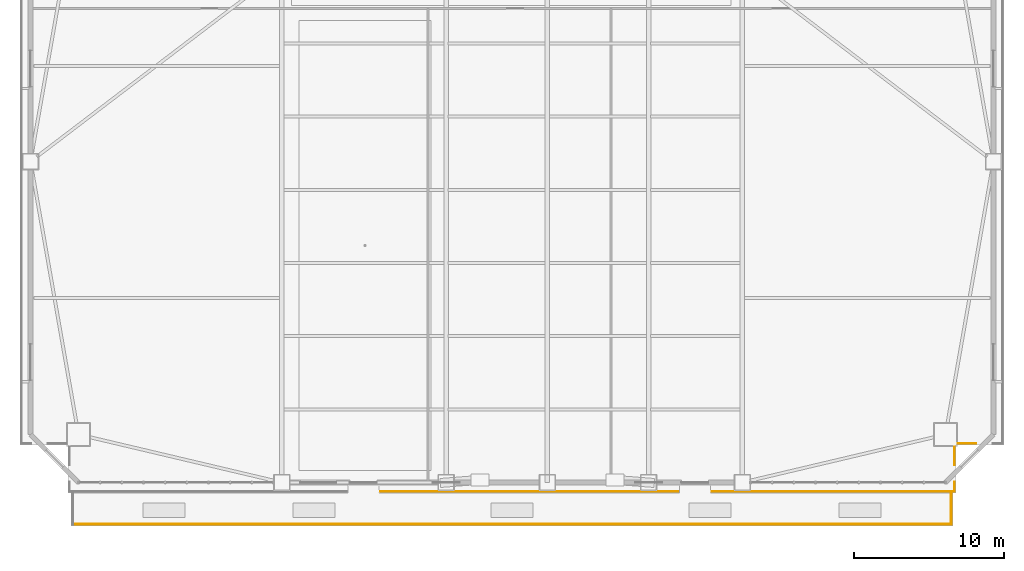
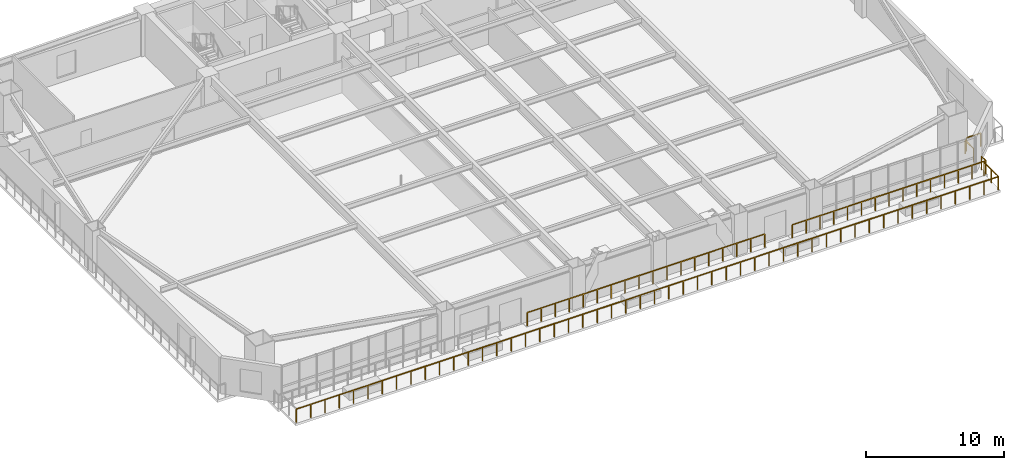
# One storey, part 14 of 17: 7 railings.
"""IFC4 building model written with IfcOpenShell, lengths in metres."""

from ifc_helpers import new_model, si_unit, direction, frame, origin, origin_2d, place, context, subcontext, project, spatial, rectangle, extrude, material, type_object, element, save


model = new_model("IFC4")

# Units and contexts
model_context = context("Model", 3, precision=1e-05, world=origin(), true_north=direction((0.0, 1.0)))
body_context = subcontext(model_context, "Body", "Model", "MODEL_VIEW")
ifc_project = project(units=[si_unit("LENGTHUNIT", "METRE"), si_unit("AREAUNIT", "SQUARE_METRE"), si_unit("VOLUMEUNIT", "CUBIC_METRE"), si_unit("PLANEANGLEUNIT", "RADIAN"), si_unit("MASSUNIT", "GRAM", prefix="KILO")], contexts=[model_context])

# Site, building, storey
site_placement = place(None, origin())
site = spatial("IfcSite", under=ifc_project, at=site_placement, CompositionType="ELEMENT")
building_placement = place(site_placement, origin())
building = spatial("IfcBuilding", under=site, at=building_placement, Name="Giltprow Tower", CompositionType="ELEMENT")
storey_placement = place(building_placement, frame((0.0, 0.0, 25.39990234375)))
storey = spatial("IfcBuildingStorey", under=building, at=storey_placement, Name="L06", CompositionType="ELEMENT", Elevation=25.39990234375)

# Railings
ifc_material = material(Name="Anodized bronze", Category="metal")
railing_type_1 = type_object("IfcRailingType", Name="RAIL-BALC-GUARD-1200", PredefinedType="BALUSTRADE", material=ifc_material)
railing_1_placement = place(storey_placement, frame((66.1201171875, 5.89990234375, 0.0)))
element("IfcRailing", 1, at=railing_1_placement, inside=storey, type_object=railing_type_1, Name="L06 Corner Apron Edge Balustrade 16", PredefinedType="BALUSTRADE", context=body_context, shape_type="SweptSolid", body=[
    extrude(rectangle(XDim=0.048095703125, YDim=0.048095703125, at=origin_2d()), frame((0.0, 0.0, 1.17578125), z_axis=(-1.0, 0.0, 0.0), x_axis=(0.0, -1.0, 0.0)), (0.0, 0.0, 1.0), 1.18505859375),
    extrude(rectangle(XDim=0.0419921875, YDim=0.0419921875, at=origin_2d()), origin(), (0.0, 0.0, 1.0), 1.15185546875),
    extrude(rectangle(XDim=0.0419921875, YDim=0.0419921875, at=origin_2d()), frame((-1.18505859375, 0.0, 0.0)), (0.0, 0.0, 1.0), 1.15185546875),
])
railing_2_placement = place(storey_placement, frame((64.699951171875, 5.6650390625, 0.0)))
element("IfcRailing", 2, at=railing_2_placement, inside=storey, type_object=railing_type_1, Name="L06 Corner Apron Edge Balustrade 17", PredefinedType="BALUSTRADE", context=body_context, shape_type="SweptSolid", body=[
    extrude(rectangle(XDim=0.048095703125, YDim=0.048095703125, at=origin_2d()), frame((0.0, 0.0, 1.17578125), z_axis=(0.0, -1.0, 0.0), x_axis=(1.0, 0.0, 0.0)), (0.0, 0.0, 1.0), 1.18505859375),
    extrude(rectangle(XDim=0.0419921875, YDim=0.0419921875, at=origin_2d()), origin(), (0.0, 0.0, 1.0), 1.15185546875),
    extrude(rectangle(XDim=0.0419921875, YDim=0.0419921875, at=origin_2d()), frame((0.0, -1.18505859375, 0.0)), (0.0, 0.0, 1.0), 1.15185546875),
])
railing_3_placement = place(storey_placement, frame((64.699951171875, 3.320068359375, 0.0)))
element("IfcRailing", 3, at=railing_3_placement, inside=storey, type_object=railing_type_1, Name="L06 Corner Apron Edge Balustrade 18", PredefinedType="BALUSTRADE", context=body_context, shape_type="SweptSolid", body=[
    extrude(rectangle(XDim=0.048095703125, YDim=0.048095703125, at=origin_2d()), frame((0.0, 0.0, 1.17578125), z_axis=(0.0, -1.0, 0.0), x_axis=(1.0, 0.0, 0.0)), (0.0, 0.0, 1.0), 0.6201171875),
    extrude(rectangle(XDim=0.0419921875, YDim=0.0419921875, at=origin_2d()), origin(), (0.0, 0.0, 1.0), 1.15185546875),
    extrude(rectangle(XDim=0.0419921875, YDim=0.0419921875, at=origin_2d()), frame((0.0, -0.6201171875, 0.0)), (0.0, 0.0, 1.0), 1.15185546875),
])
railing_4_placement = place(storey_placement, frame((64.699951171875, 2.699951171875, 0.0)))
element("IfcRailing", 4, at=railing_4_placement, inside=storey, type_object=railing_type_1, Name="L06 Corner Apron Edge Balustrade 19", PredefinedType="BALUSTRADE", context=body_context, shape_type="SweptSolid", body=[
    extrude(rectangle(XDim=0.048095703125, YDim=0.048095703125, at=origin_2d()), frame((0.0, 0.0, 1.17578125), z_axis=(-1.0, 0.0, 0.0), x_axis=(0.0, -1.0, 0.0)), (0.0, 0.0, 1.0), 16.14990234375),
    extrude(rectangle(XDim=0.0419921875, YDim=0.0419921875, at=origin_2d()), origin(), (0.0, 0.0, 1.0), 1.15185546875),
    extrude(rectangle(XDim=0.0419921875, YDim=0.0419921875, at=origin_2d()), frame((-1.153564453125, 0.0, 0.0)), (0.0, 0.0, 1.0), 1.15185546875),
    extrude(rectangle(XDim=0.0419921875, YDim=0.0419921875, at=origin_2d()), frame((-2.30712890625, 0.0, 0.0)), (0.0, 0.0, 1.0), 1.15185546875),
    extrude(rectangle(XDim=0.0419921875, YDim=0.0419921875, at=origin_2d()), frame((-3.460693359375, 0.0, 0.0)), (0.0, 0.0, 1.0), 1.15185546875),
    extrude(rectangle(XDim=0.0419921875, YDim=0.0419921875, at=origin_2d()), frame((-4.6142578125, 0.0, 0.0)), (0.0, 0.0, 1.0), 1.15185546875),
    extrude(rectangle(XDim=0.0419921875, YDim=0.0419921875, at=origin_2d()), frame((-5.767822265625, 0.0, 0.0)), (0.0, 0.0, 1.0), 1.15185546875),
    extrude(rectangle(XDim=0.0419921875, YDim=0.0419921875, at=origin_2d()), frame((-6.92138671875, 0.0, 0.0)), (0.0, 0.0, 1.0), 1.15185546875),
    extrude(rectangle(XDim=0.0419921875, YDim=0.0419921875, at=origin_2d()), frame((-8.074951171875, 0.0, 0.0)), (0.0, 0.0, 1.0), 1.15185546875),
    extrude(rectangle(XDim=0.0419921875, YDim=0.0419921875, at=origin_2d()), frame((-9.228515625, 0.0, 0.0)), (0.0, 0.0, 1.0), 1.15185546875),
    extrude(rectangle(XDim=0.0419921875, YDim=0.0419921875, at=origin_2d()), frame((-10.382080078125, 0.0, 0.0)), (0.0, 0.0, 1.0), 1.15185546875),
    extrude(rectangle(XDim=0.0419921875, YDim=0.0419921875, at=origin_2d()), frame((-11.53564453125, 0.0, 0.0)), (0.0, 0.0, 1.0), 1.15185546875),
    extrude(rectangle(XDim=0.0419921875, YDim=0.0419921875, at=origin_2d()), frame((-12.689208984375, 0.0, 0.0)), (0.0, 0.0, 1.0), 1.15185546875),
    extrude(rectangle(XDim=0.0419921875, YDim=0.0419921875, at=origin_2d()), frame((-13.8427734375, 0.0, 0.0)), (0.0, 0.0, 1.0), 1.15185546875),
    extrude(rectangle(XDim=0.0419921875, YDim=0.0419921875, at=origin_2d()), frame((-14.996337890625, 0.0, 0.0)), (0.0, 0.0, 1.0), 1.15185546875),
    extrude(rectangle(XDim=0.0419921875, YDim=0.0419921875, at=origin_2d()), frame((-16.14990234375, 0.0, 0.0)), (0.0, 0.0, 1.0), 1.15185546875),
])
railing_5_placement = place(storey_placement, frame((46.25, 2.699951171875, 0.0)))
element("IfcRailing", 5, at=railing_5_placement, inside=storey, type_object=railing_type_1, Name="L06 Corner Apron Edge Balustrade 20", PredefinedType="BALUSTRADE", context=body_context, shape_type="SweptSolid", body=[
    extrude(rectangle(XDim=0.048095703125, YDim=0.048095703125, at=origin_2d()), frame((0.0, 0.0, 1.17578125), z_axis=(-1.0, 0.0, 0.0), x_axis=(0.0, -1.0, 0.0)), (0.0, 0.0, 1.0), 19.800048828125),
    extrude(rectangle(XDim=0.0419921875, YDim=0.0419921875, at=origin_2d()), origin(), (0.0, 0.0, 1.0), 1.15185546875),
    extrude(rectangle(XDim=0.0419921875, YDim=0.0419921875, at=origin_2d()), frame((-1.164794921875, 0.0, 0.0)), (0.0, 0.0, 1.0), 1.15185546875),
    extrude(rectangle(XDim=0.0419921875, YDim=0.0419921875, at=origin_2d()), frame((-2.329345703125, 0.0, 0.0)), (0.0, 0.0, 1.0), 1.15185546875),
    extrude(rectangle(XDim=0.0419921875, YDim=0.0419921875, at=origin_2d()), frame((-3.494140625, 0.0, 0.0)), (0.0, 0.0, 1.0), 1.15185546875),
    extrude(rectangle(XDim=0.0419921875, YDim=0.0419921875, at=origin_2d()), frame((-4.658935546875, 0.0, 0.0)), (0.0, 0.0, 1.0), 1.15185546875),
    extrude(rectangle(XDim=0.0419921875, YDim=0.0419921875, at=origin_2d()), frame((-5.823486328125, 0.0, 0.0)), (0.0, 0.0, 1.0), 1.15185546875),
    extrude(rectangle(XDim=0.0419921875, YDim=0.0419921875, at=origin_2d()), frame((-6.98828125, 0.0, 0.0)), (0.0, 0.0, 1.0), 1.15185546875),
    extrude(rectangle(XDim=0.0419921875, YDim=0.0419921875, at=origin_2d()), frame((-8.153076171875, 0.0, 0.0)), (0.0, 0.0, 1.0), 1.15185546875),
    extrude(rectangle(XDim=0.0419921875, YDim=0.0419921875, at=origin_2d()), frame((-9.317626953125, 0.0, 0.0)), (0.0, 0.0, 1.0), 1.15185546875),
    extrude(rectangle(XDim=0.0419921875, YDim=0.0419921875, at=origin_2d()), frame((-10.482421875, 0.0, 0.0)), (0.0, 0.0, 1.0), 1.15185546875),
    extrude(rectangle(XDim=0.0419921875, YDim=0.0419921875, at=origin_2d()), frame((-11.64697265625, 0.0, 0.0)), (0.0, 0.0, 1.0), 1.15185546875),
    extrude(rectangle(XDim=0.0419921875, YDim=0.0419921875, at=origin_2d()), frame((-12.811767578125, 0.0, 0.0)), (0.0, 0.0, 1.0), 1.15185546875),
    extrude(rectangle(XDim=0.0419921875, YDim=0.0419921875, at=origin_2d()), frame((-13.9765625, 0.0, 0.0)), (0.0, 0.0, 1.0), 1.15185546875),
    extrude(rectangle(XDim=0.0419921875, YDim=0.0419921875, at=origin_2d()), frame((-15.14111328125, 0.0, 0.0)), (0.0, 0.0, 1.0), 1.15185546875),
    extrude(rectangle(XDim=0.0419921875, YDim=0.0419921875, at=origin_2d()), frame((-16.305908203125, 0.0, 0.0)), (0.0, 0.0, 1.0), 1.15185546875),
    extrude(rectangle(XDim=0.0419921875, YDim=0.0419921875, at=origin_2d()), frame((-17.470703125, 0.0, 0.0)), (0.0, 0.0, 1.0), 1.15185546875),
    extrude(rectangle(XDim=0.0419921875, YDim=0.0419921875, at=origin_2d()), frame((-18.63525390625, 0.0, 0.0)), (0.0, 0.0, 1.0), 1.15185546875),
    extrude(rectangle(XDim=0.0419921875, YDim=0.0419921875, at=origin_2d()), frame((-19.800048828125, 0.0, 0.0)), (0.0, 0.0, 1.0), 1.15185546875),
])
railing_type_2 = type_object("IfcRailingType", Name="RAIL-TERR-BAL-1200", PredefinedType="BALUSTRADE", material=ifc_material)
railing_6_placement = place(storey_placement, frame((5.919921875, 0.52001953125, 0.0)))
element("IfcRailing", 6, at=railing_6_placement, inside=storey, type_object=railing_type_2, Name="L06 Waterfront Podium Terrace Balustrade Seg 2", PredefinedType="BALUSTRADE", context=body_context, shape_type="SweptSolid", body=[
    extrude(rectangle(XDim=0.048095703125, YDim=0.048095703125, at=origin_2d()), frame((0.0, 0.0, 1.17578125), z_axis=(1.0, 0.0, 0.0), x_axis=(0.0, 1.0, 0.0)), (0.0, 0.0, 1.0), 58.56005859375),
    extrude(rectangle(XDim=0.0419921875, YDim=0.0419921875, at=origin_2d()), origin(), (0.0, 0.0, 1.0), 1.15185546875),
    extrude(rectangle(XDim=0.0419921875, YDim=0.0419921875, at=origin_2d()), frame((1.195068359375, 0.0, 0.0)), (0.0, 0.0, 1.0), 1.15185546875),
    extrude(rectangle(XDim=0.0419921875, YDim=0.0419921875, at=origin_2d()), frame((2.39013671875, 0.0, 0.0)), (0.0, 0.0, 1.0), 1.15185546875),
    extrude(rectangle(XDim=0.0419921875, YDim=0.0419921875, at=origin_2d()), frame((3.585205078125, 0.0, 0.0)), (0.0, 0.0, 1.0), 1.15185546875),
    extrude(rectangle(XDim=0.0419921875, YDim=0.0419921875, at=origin_2d()), frame((4.780517578125, 0.0, 0.0)), (0.0, 0.0, 1.0), 1.15185546875),
    extrude(rectangle(XDim=0.0419921875, YDim=0.0419921875, at=origin_2d()), frame((5.9755859375, 0.0, 0.0)), (0.0, 0.0, 1.0), 1.15185546875),
    extrude(rectangle(XDim=0.0419921875, YDim=0.0419921875, at=origin_2d()), frame((7.170654296875, 0.0, 0.0)), (0.0, 0.0, 1.0), 1.15185546875),
    extrude(rectangle(XDim=0.0419921875, YDim=0.0419921875, at=origin_2d()), frame((8.36572265625, 0.0, 0.0)), (0.0, 0.0, 1.0), 1.15185546875),
    extrude(rectangle(XDim=0.0419921875, YDim=0.0419921875, at=origin_2d()), frame((9.560791015625, 0.0, 0.0)), (0.0, 0.0, 1.0), 1.15185546875),
    extrude(rectangle(XDim=0.0419921875, YDim=0.0419921875, at=origin_2d()), frame((10.755859375, 0.0, 0.0)), (0.0, 0.0, 1.0), 1.15185546875),
    extrude(rectangle(XDim=0.0419921875, YDim=0.0419921875, at=origin_2d()), frame((11.950927734375, 0.0, 0.0)), (0.0, 0.0, 1.0), 1.15185546875),
    extrude(rectangle(XDim=0.0419921875, YDim=0.0419921875, at=origin_2d()), frame((13.146240234375, 0.0, 0.0)), (0.0, 0.0, 1.0), 1.15185546875),
    extrude(rectangle(XDim=0.0419921875, YDim=0.0419921875, at=origin_2d()), frame((14.34130859375, 0.0, 0.0)), (0.0, 0.0, 1.0), 1.15185546875),
    extrude(rectangle(XDim=0.0419921875, YDim=0.0419921875, at=origin_2d()), frame((15.536376953125, 0.0, 0.0)), (0.0, 0.0, 1.0), 1.15185546875),
    extrude(rectangle(XDim=0.0419921875, YDim=0.0419921875, at=origin_2d()), frame((16.7314453125, 0.0, 0.0)), (0.0, 0.0, 1.0), 1.15185546875),
    extrude(rectangle(XDim=0.0419921875, YDim=0.0419921875, at=origin_2d()), frame((17.926513671875, 0.0, 0.0)), (0.0, 0.0, 1.0), 1.15185546875),
    extrude(rectangle(XDim=0.0419921875, YDim=0.0419921875, at=origin_2d()), frame((19.12158203125, 0.0, 0.0)), (0.0, 0.0, 1.0), 1.15185546875),
    extrude(rectangle(XDim=0.0419921875, YDim=0.0419921875, at=origin_2d()), frame((20.316650390625, 0.0, 0.0)), (0.0, 0.0, 1.0), 1.15185546875),
    extrude(rectangle(XDim=0.0419921875, YDim=0.0419921875, at=origin_2d()), frame((21.511962890625, 0.0, 0.0)), (0.0, 0.0, 1.0), 1.15185546875),
    extrude(rectangle(XDim=0.0419921875, YDim=0.0419921875, at=origin_2d()), frame((22.70703125, 0.0, 0.0)), (0.0, 0.0, 1.0), 1.15185546875),
    extrude(rectangle(XDim=0.0419921875, YDim=0.0419921875, at=origin_2d()), frame((23.902099609375, 0.0, 0.0)), (0.0, 0.0, 1.0), 1.15185546875),
    extrude(rectangle(XDim=0.0419921875, YDim=0.0419921875, at=origin_2d()), frame((25.09716796875, 0.0, 0.0)), (0.0, 0.0, 1.0), 1.15185546875),
    extrude(rectangle(XDim=0.0419921875, YDim=0.0419921875, at=origin_2d()), frame((26.292236328125, 0.0, 0.0)), (0.0, 0.0, 1.0), 1.15185546875),
    extrude(rectangle(XDim=0.0419921875, YDim=0.0419921875, at=origin_2d()), frame((27.4873046875, 0.0, 0.0)), (0.0, 0.0, 1.0), 1.15185546875),
    extrude(rectangle(XDim=0.0419921875, YDim=0.0419921875, at=origin_2d()), frame((28.682373046875, 0.0, 0.0)), (0.0, 0.0, 1.0), 1.15185546875),
    extrude(rectangle(XDim=0.0419921875, YDim=0.0419921875, at=origin_2d()), frame((29.877685546875, 0.0, 0.0)), (0.0, 0.0, 1.0), 1.15185546875),
    extrude(rectangle(XDim=0.0419921875, YDim=0.0419921875, at=origin_2d()), frame((31.07275390625, 0.0, 0.0)), (0.0, 0.0, 1.0), 1.15185546875),
    extrude(rectangle(XDim=0.0419921875, YDim=0.0419921875, at=origin_2d()), frame((32.267822265625, 0.0, 0.0)), (0.0, 0.0, 1.0), 1.15185546875),
    extrude(rectangle(XDim=0.0419921875, YDim=0.0419921875, at=origin_2d()), frame((33.462890625, 0.0, 0.0)), (0.0, 0.0, 1.0), 1.15185546875),
    extrude(rectangle(XDim=0.0419921875, YDim=0.0419921875, at=origin_2d()), frame((34.657958984375, 0.0, 0.0)), (0.0, 0.0, 1.0), 1.15185546875),
    extrude(rectangle(XDim=0.0419921875, YDim=0.0419921875, at=origin_2d()), frame((35.85302734375, 0.0, 0.0)), (0.0, 0.0, 1.0), 1.15185546875),
    extrude(rectangle(XDim=0.0419921875, YDim=0.0419921875, at=origin_2d()), frame((37.048095703125, 0.0, 0.0)), (0.0, 0.0, 1.0), 1.15185546875),
    extrude(rectangle(XDim=0.0419921875, YDim=0.0419921875, at=origin_2d()), frame((38.243408203125, 0.0, 0.0)), (0.0, 0.0, 1.0), 1.15185546875),
    extrude(rectangle(XDim=0.0419921875, YDim=0.0419921875, at=origin_2d()), frame((39.4384765625, 0.0, 0.0)), (0.0, 0.0, 1.0), 1.15185546875),
    extrude(rectangle(XDim=0.0419921875, YDim=0.0419921875, at=origin_2d()), frame((40.633544921875, 0.0, 0.0)), (0.0, 0.0, 1.0), 1.15185546875),
    extrude(rectangle(XDim=0.0419921875, YDim=0.0419921875, at=origin_2d()), frame((41.82861328125, 0.0, 0.0)), (0.0, 0.0, 1.0), 1.15185546875),
    extrude(rectangle(XDim=0.0419921875, YDim=0.0419921875, at=origin_2d()), frame((43.023681640625, 0.0, 0.0)), (0.0, 0.0, 1.0), 1.15185546875),
    extrude(rectangle(XDim=0.0419921875, YDim=0.0419921875, at=origin_2d()), frame((44.21875, 0.0, 0.0)), (0.0, 0.0, 1.0), 1.15185546875),
    extrude(rectangle(XDim=0.0419921875, YDim=0.0419921875, at=origin_2d()), frame((45.413818359375, 0.0, 0.0)), (0.0, 0.0, 1.0), 1.15185546875),
    extrude(rectangle(XDim=0.0419921875, YDim=0.0419921875, at=origin_2d()), frame((46.609130859375, 0.0, 0.0)), (0.0, 0.0, 1.0), 1.15185546875),
    extrude(rectangle(XDim=0.0419921875, YDim=0.0419921875, at=origin_2d()), frame((47.80419921875, 0.0, 0.0)), (0.0, 0.0, 1.0), 1.15185546875),
    extrude(rectangle(XDim=0.0419921875, YDim=0.0419921875, at=origin_2d()), frame((48.999267578125, 0.0, 0.0)), (0.0, 0.0, 1.0), 1.15185546875),
    extrude(rectangle(XDim=0.0419921875, YDim=0.0419921875, at=origin_2d()), frame((50.1943359375, 0.0, 0.0)), (0.0, 0.0, 1.0), 1.15185546875),
    extrude(rectangle(XDim=0.0419921875, YDim=0.0419921875, at=origin_2d()), frame((51.389404296875, 0.0, 0.0)), (0.0, 0.0, 1.0), 1.15185546875),
    extrude(rectangle(XDim=0.0419921875, YDim=0.0419921875, at=origin_2d()), frame((52.58447265625, 0.0, 0.0)), (0.0, 0.0, 1.0), 1.15185546875),
    extrude(rectangle(XDim=0.0419921875, YDim=0.0419921875, at=origin_2d()), frame((53.779541015625, 0.0, 0.0)), (0.0, 0.0, 1.0), 1.15185546875),
    extrude(rectangle(XDim=0.0419921875, YDim=0.0419921875, at=origin_2d()), frame((54.974853515625, 0.0, 0.0)), (0.0, 0.0, 1.0), 1.15185546875),
    extrude(rectangle(XDim=0.0419921875, YDim=0.0419921875, at=origin_2d()), frame((56.169921875, 0.0, 0.0)), (0.0, 0.0, 1.0), 1.15185546875),
    extrude(rectangle(XDim=0.0419921875, YDim=0.0419921875, at=origin_2d()), frame((57.364990234375, 0.0, 0.0)), (0.0, 0.0, 1.0), 1.15185546875),
    extrude(rectangle(XDim=0.0419921875, YDim=0.0419921875, at=origin_2d()), frame((58.56005859375, 0.0, 0.0)), (0.0, 0.0, 1.0), 1.15185546875),
])
railing_7_placement = place(storey_placement, frame((64.47998046875, 0.52001953125, 0.0)))
element("IfcRailing", 7, at=railing_7_placement, inside=storey, type_object=railing_type_2, Name="L06 Waterfront Podium Terrace Balustrade Seg 3", PredefinedType="BALUSTRADE", context=body_context, shape_type="SweptSolid", body=[
    extrude(rectangle(XDim=0.048095703125, YDim=0.048095703125, at=origin_2d()), frame((0.0, 0.0, 1.17578125), z_axis=(0.0, 1.0, 0.0), x_axis=(-1.0, 0.0, 0.0)), (0.0, 0.0, 1.0), 2.080078125),
    extrude(rectangle(XDim=0.0419921875, YDim=0.0419921875, at=origin_2d()), origin(), (0.0, 0.0, 1.0), 1.15185546875),
    extrude(rectangle(XDim=0.0419921875, YDim=0.0419921875, at=origin_2d()), frame((0.0, 1.0400390625, 0.0)), (0.0, 0.0, 1.0), 1.15185546875),
    extrude(rectangle(XDim=0.0419921875, YDim=0.0419921875, at=origin_2d()), frame((0.0, 2.080078125, 0.0)), (0.0, 0.0, 1.0), 1.15185546875),
])

save(model, "model.ifc")
